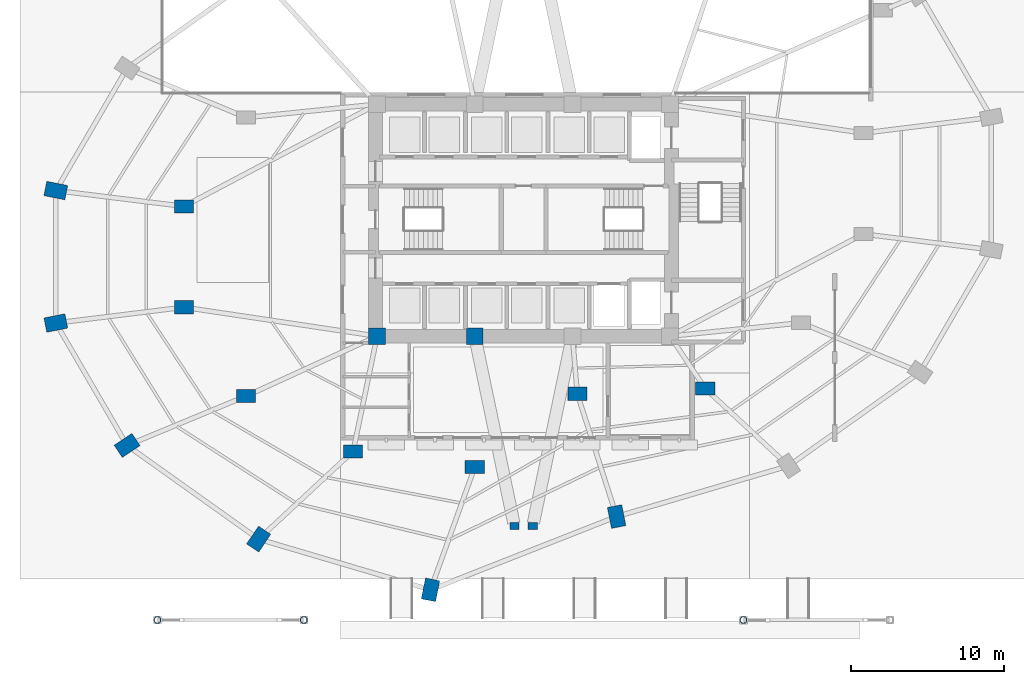
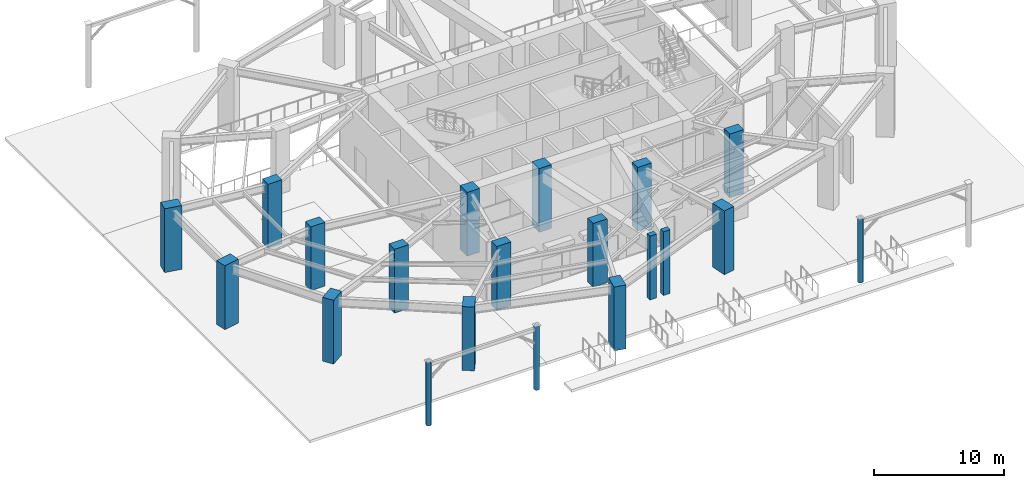
# One storey, part 1 of 14: 20 columns.
"""IFC4 building model written with IfcOpenShell, lengths in metres."""

from ifc_helpers import new_model, si_unit, direction, frame, origin, origin_2d, place, context, subcontext, project, spatial, rectangle, hollow_circle, extrude, material, material_profile, profile_set, type_object, element, save


model = new_model("IFC4")

# Units and contexts
model_context = context("Model", 3, precision=1e-05, world=origin(), true_north=direction((0.0, 1.0)))
body_context = subcontext(model_context, "Body", "Model", "MODEL_VIEW")
ifc_project = project(units=[si_unit("LENGTHUNIT", "METRE"), si_unit("AREAUNIT", "SQUARE_METRE"), si_unit("VOLUMEUNIT", "CUBIC_METRE"), si_unit("PLANEANGLEUNIT", "RADIAN"), si_unit("MASSUNIT", "GRAM", prefix="KILO")], contexts=[model_context])

# Site, building, storey
site_placement = place(None, origin())
site = spatial("IfcSite", under=ifc_project, at=site_placement, CompositionType="ELEMENT")
building_placement = place(site_placement, origin())
building = spatial("IfcBuilding", under=site, at=building_placement, Name="Lazwardi Medical Tower", CompositionType="ELEMENT")
storey_placement = place(building_placement, origin())
storey = spatial("IfcBuildingStorey", under=building, at=storey_placement, Name="L00", CompositionType="ELEMENT", Elevation=0.0)

# Columns
ifc_material_1 = material(Name="Concrete C80/95", Category="concrete")
ifc_material_profile_1 = material_profile(ifc_material_1, rectangle(XDim=1.10009765625, YDim=1.10009765625, at=origin_2d()), Name="RC 1100x1100")
ifc_profile_set_1 = profile_set([ifc_material_profile_1], Name="Concrete C80/95")
column_type_1 = type_object("IfcColumnType", Name="COL-CC-L", PredefinedType="COLUMN", material=ifc_profile_set_1)
for number, where, z_axis, x_axis, name in (
    (1, (26.39990234375, 20.39990234375, 0.0), (0.0, 0.0, 1.0), (1.0, 0.0, 0.0), "Core column CC-01 CC1 L00"),
    (2, (32.800048828125, 20.39990234375, 0.0), (0.0, 0.0, 1.0), (1.0, 0.0, 0.0), "Core column CC-01 CC2 L00"),
):
    element("IfcColumn", number, at=place(storey_placement, frame(where, z_axis=z_axis, x_axis=x_axis)), inside=storey, type_object=column_type_1, Name=name, PredefinedType="COLUMN", context=body_context, shape_type="SweptSolid", body=[
        extrude(rectangle(XDim=1.10009765625, YDim=1.10009765625, at=origin_2d()), origin(), (0.0, 0.0, 1.0), 6.0),
    ])
ifc_material_2 = material(Name="Steel S355", Category="steel")
ifc_material_profile_2 = material_profile(ifc_material_2, hollow_circle(Radius=0.228515625, WallThickness=0.02001953125, at=origin_2d()), Name="CHS 457x20")
ifc_profile_set_2 = profile_set([ifc_material_profile_2], Name="Steel S355")
column_type_2 = type_object("IfcColumnType", Name="COL-CN-01", PredefinedType="COLUMN", material=ifc_profile_set_2)
for number, where, z_axis, x_axis, name in (
    (3, (12.0, 1.800048828125, 0.0), (0.0, 0.0, 1.0), (1.0, 0.0, 0.0), "Entrance canopy column CN-C1 CN1"),
    (4, (21.60009765625, 1.800048828125, 0.0), (0.0, 0.0, 1.0), (1.0, 0.0, 0.0), "Entrance canopy column CN-C1 CN2"),
    (5, (50.39990234375, 1.800048828125, 0.0), (0.0, 0.0, 1.0), (1.0, 0.0, 0.0), "Entrance canopy column CN-C1 CN3"),
):
    element("IfcColumn", number, at=place(storey_placement, frame(where, z_axis=z_axis, x_axis=x_axis)), inside=storey, type_object=column_type_2, Name=name, PredefinedType="COLUMN", context=body_context, shape_type="SweptSolid", body=[
        extrude(hollow_circle(Radius=0.228515625, WallThickness=0.02001953125, at=origin_2d()), origin(), (0.0, 0.0, 1.0), 5.968017578125),
    ])
ifc_material_profile_3 = material_profile(ifc_material_1, rectangle(XDim=1.39990234375, YDim=0.9599609375, at=origin_2d()), Name="CFT-RECT 1400x960")
ifc_profile_set_3 = profile_set([ifc_material_profile_3], Name="Concrete C80/95")
column_type_3 = type_object("IfcColumnType", Name="COL-MC-B1", PredefinedType="COLUMN", material=ifc_profile_set_3)
for number, where, z_axis, x_axis, name in (
    (6, (42.0966796875, 8.577392578125, 0.0), (0.0, 0.0, 1.0), (0.195090322016, -0.980785280403, 0.0), "Mega column MC-01 M01 L00"),
    (7, (5.3505859375, 29.94091796875, 0.0), (0.0, 0.0, 1.0), (-0.980785280403, 0.195090322016, 0.0), "Mega column MC-01 M12 L00"),
    (8, (5.3505859375, 21.25927734375, 0.0), (0.0, 0.0, 1.0), (-0.980785280403, -0.195090322016, 0.0), "Mega column MC-01 M13 L00"),
    (9, (10.0166015625, 13.238525390625, 0.0), (0.0, 0.0, 1.0), (-0.831469612303, -0.55557023302, 0.0), "Mega column MC-01 M14 L00"),
    (10, (18.638427734375, 7.099853515625, 0.0), (0.0, 0.0, 1.0), (-0.55557023302, -0.831469612303, 0.0), "Mega column MC-01 M15 L00"),
    (11, (29.9033203125, 3.777587890625, 0.0), (0.0, 0.0, 1.0), (-0.195090322016, -0.980785280403, 0.0), "Mega column MC-01 M16 L00"),
):
    element("IfcColumn", number, at=place(storey_placement, frame(where, z_axis=z_axis, x_axis=x_axis)), inside=storey, type_object=column_type_3, Name=name, PredefinedType="COLUMN", context=body_context, shape_type="SweptSolid", body=[
        extrude(rectangle(XDim=1.39990234375, YDim=0.9599609375, at=origin_2d()), origin(), (0.0, 0.0, 1.0), 6.0),
    ])
ifc_material_3 = material(Name="Concrete C70/85", Category="concrete")
ifc_material_profile_4 = material_profile(ifc_material_3, rectangle(XDim=1.25, YDim=0.860107421875, at=origin_2d()), Name="CFT-RECT 1250x860")
ifc_profile_set_4 = profile_set([ifc_material_profile_4], Name="Concrete C70/85")
column_type_4 = type_object("IfcColumnType", Name="COL-MC-Z1", PredefinedType="COLUMN", material=ifc_profile_set_4)
for number, where, z_axis, x_axis, name in (
    (12, (39.52001953125, 16.625, 0.0), (0.0, 0.0, 1.0), (1.0, 0.0, 0.0), "Mega column MC-03 PM01 L00"),
    (13, (47.902099609375, 16.970947265625, 0.0), (0.0, 0.0, 1.0), (1.0, 0.0, 0.0), "Mega column MC-03 PM02 L00"),
    (14, (13.737060546875, 28.906005859375, 0.0), (0.0, 0.0, 1.0), (1.0, 0.0, 0.0), "Mega column MC-03 PM12 L00"),
    (15, (13.737060546875, 22.2939453125, 0.0), (0.0, 0.0, 1.0), (1.0, 0.0, 0.0), "Mega column MC-03 PM13 L00"),
    (16, (17.822998046875, 16.47607421875, 0.0), (0.0, 0.0, 1.0), (1.0, 0.0, 0.0), "Mega column MC-03 PM14 L00"),
    (17, (24.8291015625, 12.85302734375, 0.0), (0.0, 0.0, 1.0), (1.0, 0.0, 0.0), "Mega column MC-03 PM15 L00"),
    (18, (32.800048828125, 11.824951171875, 0.0), (0.0, 0.0, 1.0), (1.0, 0.0, 0.0), "Mega column MC-03 PM16 L00"),
):
    element("IfcColumn", number, at=place(storey_placement, frame(where, z_axis=z_axis, x_axis=x_axis)), inside=storey, type_object=column_type_4, Name=name, PredefinedType="COLUMN", context=body_context, shape_type="SweptSolid", body=[
        extrude(rectangle(XDim=1.25, YDim=0.860107421875, at=origin_2d()), origin(), (0.0, 0.0, 1.0), 6.0),
    ])
ifc_material_4 = material(Name="Concrete C60/75", Category="concrete")
ifc_material_profile_5 = material_profile(ifc_material_4, rectangle(XDim=0.60009765625, YDim=0.449951171875, at=origin_2d()), Name="RC 600x450")
ifc_profile_set_5 = profile_set([ifc_material_profile_5], Name="Concrete C60/75")
column_type_5 = type_object("IfcColumnType", Name="COL-PL-IW", PredefinedType="PILASTER", material=ifc_profile_set_5)
for number, where, z_axis, x_axis, name in (
    (19, (35.39990234375, 7.949951171875, 0.0), (0.0, 0.0, 1.0), (1.0, 0.0, 0.0), "Iwan pilaster column PL-C1 PL3 L00"),
    (20, (36.60009765625, 7.949951171875, 0.0), (0.0, 0.0, 1.0), (1.0, 0.0, 0.0), "Iwan pilaster column PL-C1 PL4 L00"),
):
    element("IfcColumn", number, at=place(storey_placement, frame(where, z_axis=z_axis, x_axis=x_axis)), inside=storey, type_object=column_type_5, Name=name, PredefinedType="PILASTER", context=body_context, shape_type="SweptSolid", body=[
        extrude(rectangle(XDim=0.60009765625, YDim=0.449951171875, at=origin_2d()), origin(), (0.0, 0.0, 1.0), 6.0),
    ])

save(model, "model.ifc")
